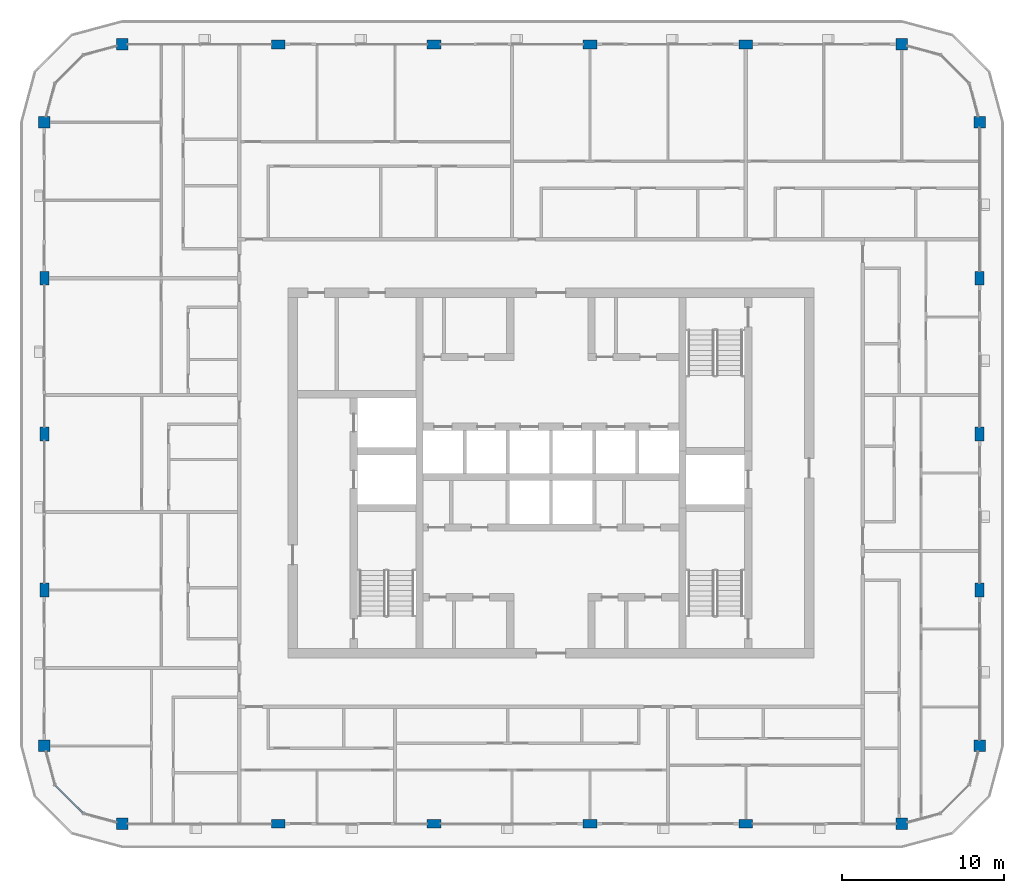
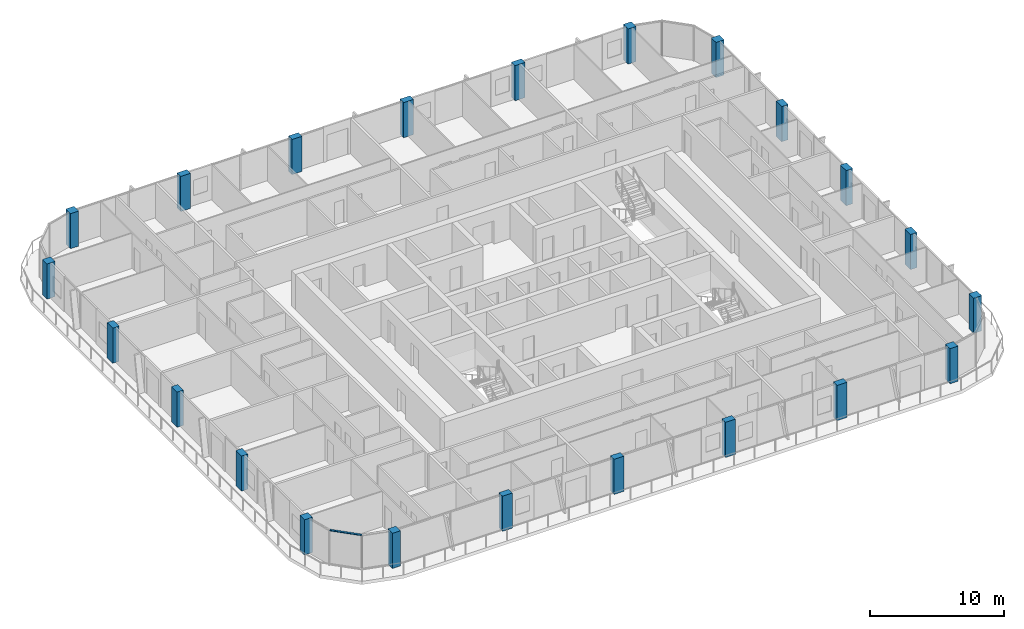
# One storey, part 1 of 22: 22 columns, 1 member, 1 element without a shape of its own.
"""IFC4 building model written with IfcOpenShell, lengths in metres."""

from ifc_helpers import new_model, si_unit, direction, frame, origin, origin_2d, place, context, subcontext, project, spatial, rectangle, extrude, material, layer, layer_set, material_profile, profile_set, type_object, element, aggregate, save


model = new_model("IFC4")

# Units and contexts
model_context = context("Model", 3, precision=1e-05, world=origin(), true_north=direction((0.0, 1.0)))
body_context = subcontext(model_context, "Body", "Model", "MODEL_VIEW")
ifc_project = project(units=[si_unit("LENGTHUNIT", "METRE"), si_unit("AREAUNIT", "SQUARE_METRE"), si_unit("VOLUMEUNIT", "CUBIC_METRE"), si_unit("PLANEANGLEUNIT", "RADIAN"), si_unit("MASSUNIT", "GRAM", prefix="KILO")], contexts=[model_context])

# Site, building, storey
site_placement = place(None, origin())
site = spatial("IfcSite", under=ifc_project, at=site_placement, CompositionType="ELEMENT")
building_placement = place(site_placement, origin())
building = spatial("IfcBuilding", under=site, at=building_placement, Name="Madar Terraces", CompositionType="ELEMENT")
storey_placement = place(building_placement, frame((0.0, 0.0, 256.199951171875)))
storey = spatial("IfcBuildingStorey", under=building, at=storey_placement, Name="L67", CompositionType="ELEMENT", Elevation=256.199951171875)

# Columns
ifc_material_1 = material(Name="Concrete C55/67", Category="concrete")
ifc_material_profile_1 = material_profile(ifc_material_1, rectangle(XDim=0.85009765625, YDim=0.550048828125, at=origin_2d()), Name="CC5 RC 850x550")
ifc_profile_set_1 = profile_set([ifc_material_profile_1], Name="Concrete C55/67")
column_type_1 = type_object("IfcColumnType", Name="CC5 RC 850x550", PredefinedType="COLUMN", material=ifc_profile_set_1)
for number, where, z_axis, x_axis, name in (
    (1, (14.39990234375, 4.800048828125, 0.0), (0.0, 0.0, 1.0), (1.0, 0.0, 0.0), "Perimeter column S2"),
    (2, (24.0, 4.800048828125, 0.0), (0.0, 0.0, 1.0), (1.0, 0.0, 0.0), "Perimeter column S3"),
    (3, (33.60009765625, 4.800048828125, 0.0), (0.0, 0.0, 1.0), (1.0, 0.0, 0.0), "Perimeter column S4"),
    (4, (43.199951171875, 4.800048828125, 0.0), (0.0, 0.0, 1.0), (1.0, 0.0, 0.0), "Perimeter column S5"),
    (5, (57.60009765625, 19.199951171875, 0.0), (0.0, 0.0, 1.0), (0.0, 1.0, 0.0), "Perimeter column E2"),
    (6, (57.60009765625, 28.800048828125, 0.0), (0.0, 0.0, 1.0), (0.0, 1.0, 0.0), "Perimeter column E3"),
    (7, (57.60009765625, 38.39990234375, 0.0), (0.0, 0.0, 1.0), (0.0, 1.0, 0.0), "Perimeter column E4"),
    (8, (43.199951171875, 52.800048828125, 0.0), (0.0, 0.0, 1.0), (1.0, 0.0, 0.0), "Perimeter column N2"),
    (9, (33.60009765625, 52.800048828125, 0.0), (0.0, 0.0, 1.0), (1.0, 0.0, 0.0), "Perimeter column N3"),
    (10, (24.0, 52.800048828125, 0.0), (0.0, 0.0, 1.0), (1.0, 0.0, 0.0), "Perimeter column N4"),
    (11, (14.39990234375, 52.800048828125, 0.0), (0.0, 0.0, 1.0), (1.0, 0.0, 0.0), "Perimeter column N5"),
    (12, (0.0, 38.39990234375, 0.0), (0.0, 0.0, 1.0), (0.0, 1.0, 0.0), "Perimeter column W2"),
    (13, (0.0, 28.800048828125, 0.0), (0.0, 0.0, 1.0), (0.0, 1.0, 0.0), "Perimeter column W3"),
    (14, (0.0, 19.199951171875, 0.0), (0.0, 0.0, 1.0), (0.0, 1.0, 0.0), "Perimeter column W4"),
):
    element("IfcColumn", number, at=place(storey_placement, frame(where, z_axis=z_axis, x_axis=x_axis)), inside=storey, type_object=column_type_1, Name=name, PredefinedType="COLUMN", context=body_context, shape_type="SweptSolid", body=[
        extrude(rectangle(XDim=0.85009765625, YDim=0.550048828125, at=origin_2d()), origin(), (0.0, 0.0, 1.0), 3.199951171875),
    ])
ifc_material_2 = material(Name="Concrete C55/67", Category="concrete")
ifc_material_profile_2 = material_profile(ifc_material_2, rectangle(XDim=0.699951171875, YDim=0.699951171875, at=origin_2d()), Name="KC5 RC 700x700")
ifc_profile_set_2 = profile_set([ifc_material_profile_2], Name="Concrete C55/67")
column_type_2 = type_object("IfcColumnType", Name="KC5 RC 700x700", PredefinedType="COLUMN", material=ifc_profile_set_2)
for number, where, z_axis, x_axis, name in (
    (15, (4.800048828125, 4.800048828125, 0.0), (0.0, 0.0, 1.0), (1.0, 0.0, 0.0), "Perimeter column S1"),
    (16, (52.800048828125, 4.800048828125, 0.0), (0.0, 0.0, 1.0), (1.0, 0.0, 0.0), "Perimeter column S6"),
    (17, (57.60009765625, 9.60009765625, 0.0), (0.0, 0.0, 1.0), (1.0, 0.0, 0.0), "Perimeter column E1"),
    (18, (57.60009765625, 48.0, 0.0), (0.0, 0.0, 1.0), (1.0, 0.0, 0.0), "Perimeter column E5"),
    (19, (52.800048828125, 52.800048828125, 0.0), (0.0, 0.0, 1.0), (1.0, 0.0, 0.0), "Perimeter column N1"),
    (20, (4.800048828125, 52.800048828125, 0.0), (0.0, 0.0, 1.0), (1.0, 0.0, 0.0), "Perimeter column N6"),
    (21, (0.0, 48.0, 0.0), (0.0, 0.0, 1.0), (1.0, 0.0, 0.0), "Perimeter column W1"),
    (22, (0.0, 9.60009765625, 0.0), (0.0, 0.0, 1.0), (1.0, 0.0, 0.0), "Perimeter column W5"),
):
    element("IfcColumn", number, at=place(storey_placement, frame(where, z_axis=z_axis, x_axis=x_axis)), inside=storey, type_object=column_type_2, Name=name, PredefinedType="COLUMN", context=body_context, shape_type="SweptSolid", body=[
        extrude(rectangle(XDim=0.699951171875, YDim=0.699951171875, at=origin_2d()), origin(), (0.0, 0.0, 1.0), 3.199951171875),
    ])

# Curtain wall, member
ifc_material_3 = material(Name="Glass, ceramic frit dark grey, with black aluminium frame", Category="aluminium")
ifc_layer = layer(ifc_material_3, 0.199951171875)
ifc_layer_set = layer_set([ifc_layer], Name="Facade curtain wall, fritted glass")
curtain_wall_type = type_object("IfcCurtainWallType", Name="Facade curtain wall, fritted glass", PredefinedType="NOTDEFINED", material=ifc_layer_set)
curtain_wall_placement = place(storey_placement, origin())
curtain_wall = element("IfcCurtainWall", 23, at=curtain_wall_placement, inside=storey, type_object=curtain_wall_type, Name="Outer skin curtain wall south-west corner", PredefinedType="NOTDEFINED")
ifc_material_4 = material(Name="Aluminium, black anodised", Category="aluminium")
ifc_material_profile_3 = material_profile(ifc_material_4, rectangle(XDim=0.1201171875, YDim=0.06005859375, at=origin_2d()), Name="Facade transom 60x120")
ifc_profile_set_3 = profile_set([ifc_material_profile_3], Name="Aluminium, black anodised")
member_type = type_object("IfcMemberType", Name="Facade transom 60x120", PredefinedType="USERDEFINED", material=ifc_profile_set_3)
member_placement = place(storey_placement, frame((0.664306640625, 7.1787109375, 3.170166015625), z_axis=(0.707157125196, -0.707056433593, 0.0), x_axis=(0.707056433593, 0.707157125196, 0.0)))
member = element("IfcMember", 24, at=member_placement, type_object=member_type, Name="Transom 2", ObjectType="TRANSOM", PredefinedType="USERDEFINED", context=body_context, shape_type="SweptSolid", body=[
    extrude(rectangle(XDim=0.1201171875, YDim=0.06005859375, at=origin_2d()), origin(), (0.0, 0.0, 1.0), 2.424560546875),
])
aggregate(curtain_wall, [member])

save(model, "model.ifc")
